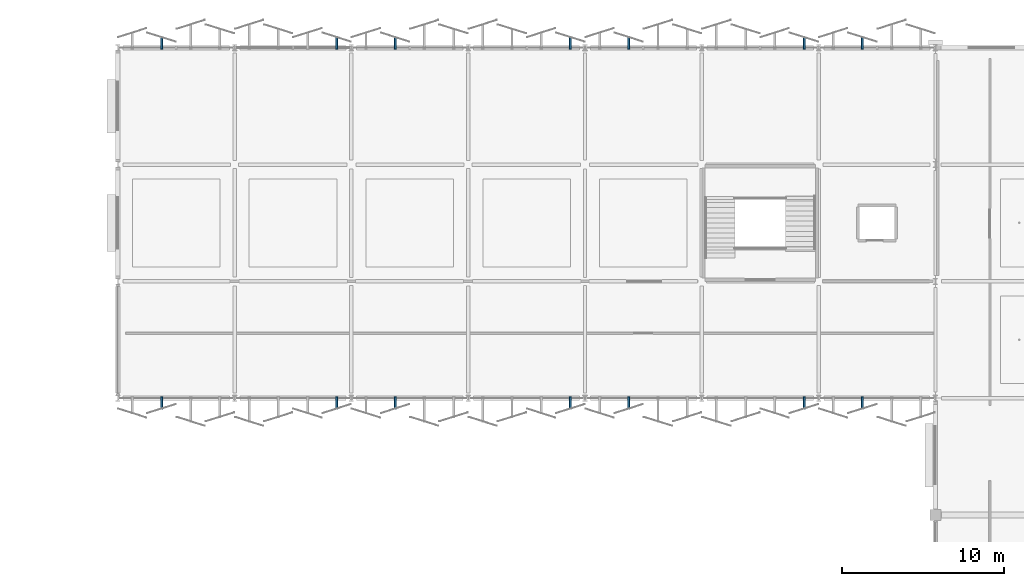
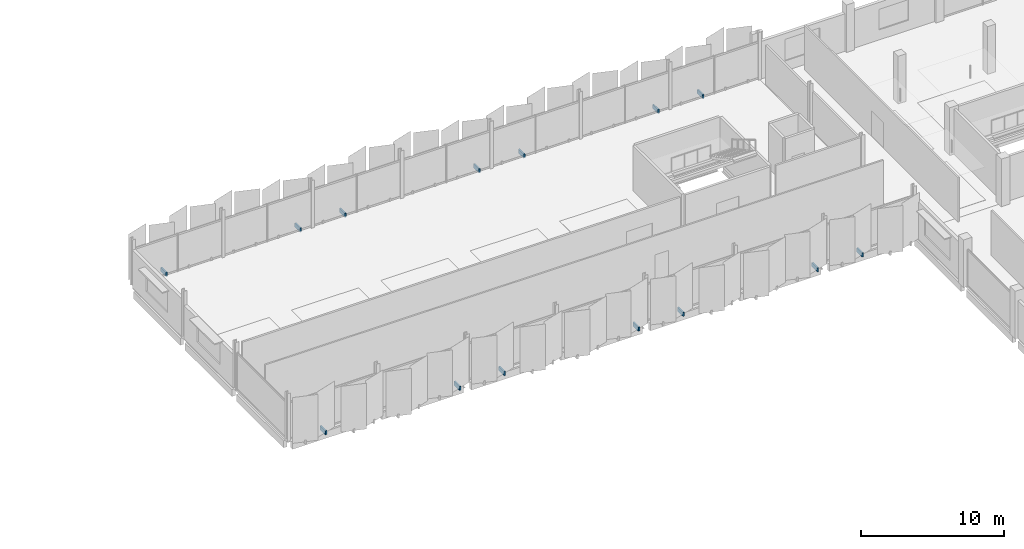
# One storey, part 87 of 91: 14 discrete accessories.
"""IFC4 building model written with IfcOpenShell, lengths in metres."""

from ifc_helpers import new_model, si_unit, direction, frame, origin, origin_2d, place, context, subcontext, project, spatial, rectangle, extrude, material, type_object, element, save


model = new_model("IFC4")

# Units and contexts
model_context = context("Model", 3, precision=1e-05, world=origin(), true_north=direction((0.0, 1.0)))
body_context = subcontext(model_context, "Body", "Model", "MODEL_VIEW")
ifc_project = project(units=[si_unit("LENGTHUNIT", "METRE"), si_unit("AREAUNIT", "SQUARE_METRE"), si_unit("VOLUMEUNIT", "CUBIC_METRE"), si_unit("PLANEANGLEUNIT", "RADIAN"), si_unit("MASSUNIT", "GRAM", prefix="KILO")], contexts=[model_context])

# Site, building, storey
site_placement = place(None, origin())
site = spatial("IfcSite", under=ifc_project, at=site_placement, CompositionType="ELEMENT")
building_placement = place(site_placement, origin())
building = spatial("IfcBuilding", under=site, at=building_placement, Name="Kangsadwip Square Police Headquarters", CompositionType="ELEMENT")
storey_placement = place(building_placement, frame((0.0, 0.0, 13.5)))
storey = spatial("IfcBuildingStorey", under=building, at=storey_placement, Name="L03", CompositionType="ELEMENT", Elevation=13.5)

# Discrete accessories
ifc_material = material(Name="Structural steel IS 2062 E350 (Grade 350, 350 MPa)", Category="steel")
discrete_accessory_type = type_object("IfcDiscreteAccessoryType", Name="VeilOutriggerBracket", PredefinedType="BRACKET", material=ifc_material)
for number, where, z_axis, x_axis, name in (
    (1, (96.300048828125, 115.502685546875, -0.10009765625), (0.0, 0.0, 1.0), (1.0, 0.0, 0.0), "Veil Outrigger Bracket VBK-L03-0114"),
    (2, (107.10009765625, 115.502685546875, -0.10009765625), (0.0, 0.0, 1.0), (1.0, 0.0, 0.0), "Veil Outrigger Bracket VBK-L03-0120"),
    (3, (110.699951171875, 115.502685546875, -0.10009765625), (0.0, 0.0, 1.0), (1.0, 0.0, 0.0), "Veil Outrigger Bracket VBK-L03-0122"),
    (4, (121.5, 115.502685546875, -0.10009765625), (0.0, 0.0, 1.0), (1.0, 0.0, 0.0), "Veil Outrigger Bracket VBK-L03-0128"),
    (5, (125.10009765625, 115.502685546875, -0.10009765625), (0.0, 0.0, 1.0), (1.0, 0.0, 0.0), "Veil Outrigger Bracket VBK-L03-0130"),
    (6, (135.89990234375, 115.502685546875, -0.10009765625), (0.0, 0.0, 1.0), (1.0, 0.0, 0.0), "Veil Outrigger Bracket VBK-L03-0136"),
    (7, (139.5, 115.502685546875, -0.10009765625), (0.0, 0.0, 1.0), (1.0, 0.0, 0.0), "Veil Outrigger Bracket VBK-L03-0138"),
    (8, (96.300048828125, 93.29736328125, -0.10009765625), (0.0, 0.0, 1.0), (1.0, 0.0, 0.0), "Veil Outrigger Bracket VBK-L03-0310"),
    (9, (107.10009765625, 93.29736328125, -0.10009765625), (0.0, 0.0, 1.0), (1.0, 0.0, 0.0), "Veil Outrigger Bracket VBK-L03-0316"),
    (10, (110.699951171875, 93.29736328125, -0.10009765625), (0.0, 0.0, 1.0), (1.0, 0.0, 0.0), "Veil Outrigger Bracket VBK-L03-0318"),
    (11, (121.5, 93.29736328125, -0.10009765625), (0.0, 0.0, 1.0), (1.0, 0.0, 0.0), "Veil Outrigger Bracket VBK-L03-0324"),
    (12, (125.10009765625, 93.29736328125, -0.10009765625), (0.0, 0.0, 1.0), (1.0, 0.0, 0.0), "Veil Outrigger Bracket VBK-L03-0326"),
    (13, (135.89990234375, 93.29736328125, -0.10009765625), (0.0, 0.0, 1.0), (1.0, 0.0, 0.0), "Veil Outrigger Bracket VBK-L03-0332"),
    (14, (139.5, 93.29736328125, -0.10009765625), (0.0, 0.0, 1.0), (1.0, 0.0, 0.0), "Veil Outrigger Bracket VBK-L03-0334"),
):
    element("IfcDiscreteAccessory", number, at=place(storey_placement, frame(where, z_axis=z_axis, x_axis=x_axis)), inside=storey, type_object=discrete_accessory_type, Name=name, PredefinedType="BRACKET", context=body_context, shape_type="SweptSolid", body=[
        extrude(rectangle(XDim=0.1201171875, YDim=0.765380859375, at=origin_2d()), origin(), (0.0, 0.0, 1.0), 0.340087890625),
    ])

save(model, "model.ifc")
